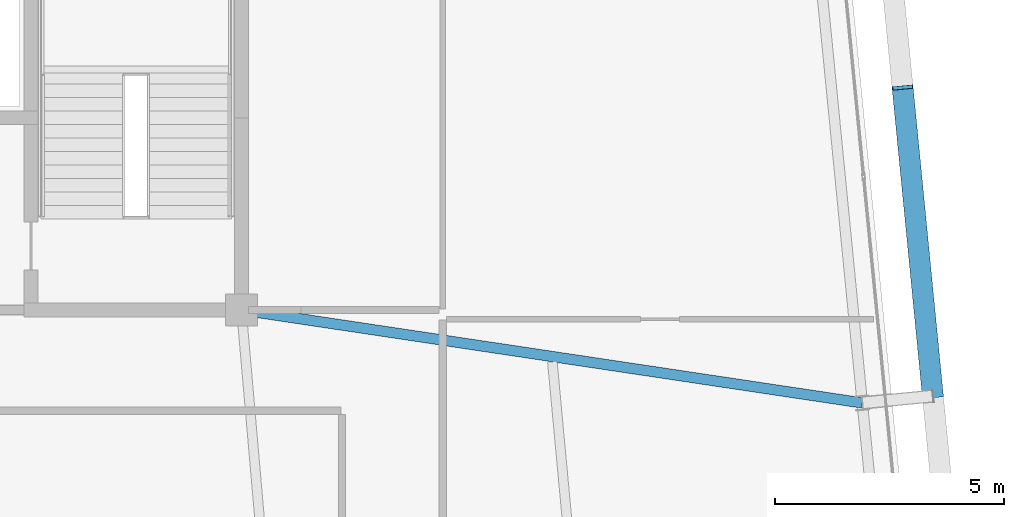
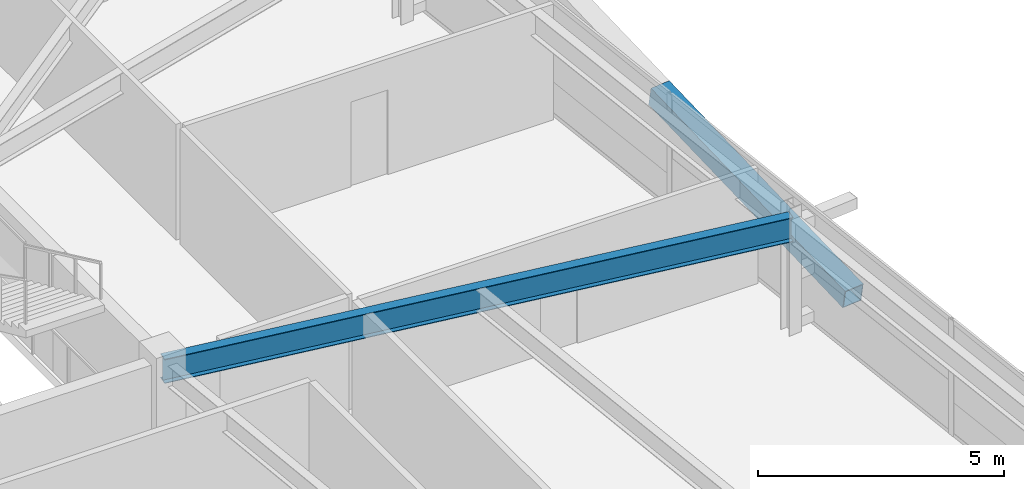
# One storey, part 22 of 47: 1 beam, 1 member.
"""IFC4 building model written with IfcOpenShell, lengths in metres."""

from ifc_helpers import new_model, si_unit, direction, frame, origin, origin_2d, place, context, subcontext, project, spatial, hollow_rectangle, i_section, extrude, source, transform, mapped, material, material_profile, profile_set, type_object, element, save


model = new_model("IFC4")

# Units and contexts
model_context = context("Model", 3, precision=1e-05, world=origin(), true_north=direction((0.0, 1.0)))
body_context = subcontext(model_context, "Body", "Model", "MODEL_VIEW")
ifc_project = project(units=[si_unit("LENGTHUNIT", "METRE"), si_unit("AREAUNIT", "SQUARE_METRE"), si_unit("VOLUMEUNIT", "CUBIC_METRE"), si_unit("PLANEANGLEUNIT", "RADIAN"), si_unit("MASSUNIT", "GRAM", prefix="KILO")], contexts=[model_context])

# Site, building, storey
site_placement = place(None, origin())
site = spatial("IfcSite", under=ifc_project, at=site_placement, CompositionType="ELEMENT")
building_placement = place(site_placement, origin())
building = spatial("IfcBuilding", under=site, at=building_placement, Name="Taldren Reach Tower", CompositionType="ELEMENT")
storey_placement = place(building_placement, frame((0.0, 0.0, 109.199951171875)))
storey = spatial("IfcBuildingStorey", under=building, at=storey_placement, Name="L33", CompositionType="ELEMENT", Elevation=109.199951171875)

# Beam
ifc_material_1 = material(Name="Steel Gr 350 (350PLUS)", Category="steel")
ifc_material_profile_1 = material_profile(ifc_material_1, i_section(OverallWidth=0.22802734375, OverallDepth=0.60205078125, WebThickness=0.010498046875, FlangeThickness=0.014892578125, at=origin_2d()), Name="610UB101")
ifc_profile_set_1 = profile_set([ifc_material_profile_1], Name="Steel Gr 350 (350PLUS)")
beam_type = type_object("IfcBeamType", Name="BM-UB610B", PredefinedType="BEAM", material=ifc_profile_set_1)
shared_shape_1 = source(origin(), body_context, "Body", "SweptSolid", [
    extrude(i_section(OverallWidth=0.22802734375, OverallDepth=0.60205078125, WebThickness=0.010498046875, FlangeThickness=0.014892578125, at=origin_2d()), origin(), (0.0, 0.0, 1.0), 13.720703125),
])
beam_placement = place(storey_placement, frame((51.0, 24.0, 2.569091796875), z_axis=(0.988983679407, -0.148024598856, 0.0), x_axis=(0.148024598856, 0.988983679407, 0.0)))
element("IfcBeam", 1, at=beam_placement, inside=storey, type_object=beam_type, Name="Primary floor girder B2-E2 L33", PredefinedType="BEAM", context=body_context, shape_type="MappedRepresentation", body=[
    mapped(shared_shape_1, transform((0.0, 0.0, 0.0), scale=1.0)),
])

# Member
ifc_material_2 = material(Name="Steel Gr 450 (C450L0)", Category="steel")
ifc_material_profile_2 = material_profile(ifc_material_2, hollow_rectangle(XDim=0.4599609375, YDim=0.4599609375, WallThickness=0.01611328125, at=origin_2d()), Name="460x460x16.0SHS")
ifc_profile_set_2 = profile_set([ifc_material_profile_2], Name="Steel Gr 450 (C450L0)")
member_type = type_object("IfcMemberType", Name="MB-EXO457", PredefinedType="BRACE", material=ifc_profile_set_2)
shared_shape_2 = source(origin(), body_context, "Body", "SweptSolid", [
    extrude(hollow_rectangle(XDim=0.4599609375, YDim=0.4599609375, WallThickness=0.01611328125, at=origin_2d()), origin(), (0.0, 0.0, 1.0), 6.8779296875),
])
member_placement = place(storey_placement, frame((66.112060546875, 22.1201171875, 0.219970703125), z_axis=(-0.096124602974, 0.980343162824, 0.172300156143), x_axis=(-0.995227290009, -0.097584021339, 0.0)))
element("IfcMember", 2, at=member_placement, inside=storey, type_object=member_type, Name="Exoskeleton Diagrid Brace B2-E2 L33", PredefinedType="BRACE", context=body_context, shape_type="MappedRepresentation", body=[
    mapped(shared_shape_2, transform((0.0, 0.0, 0.0), scale=1.0)),
])

save(model, "model.ifc")
